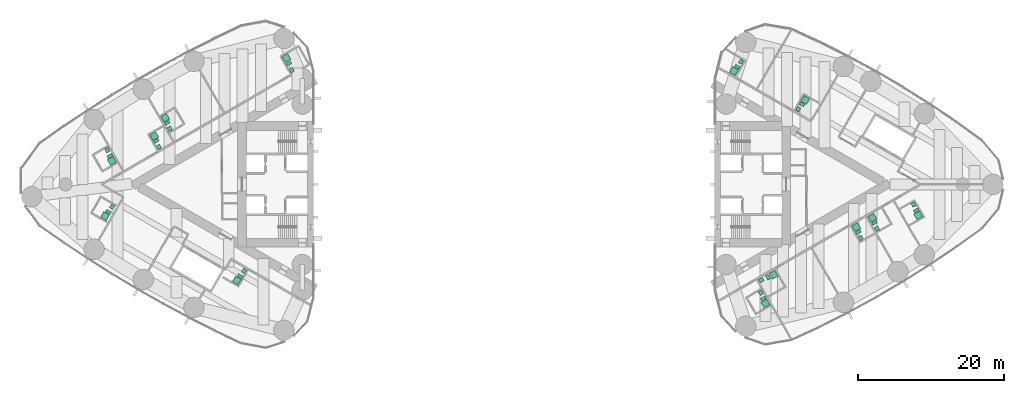
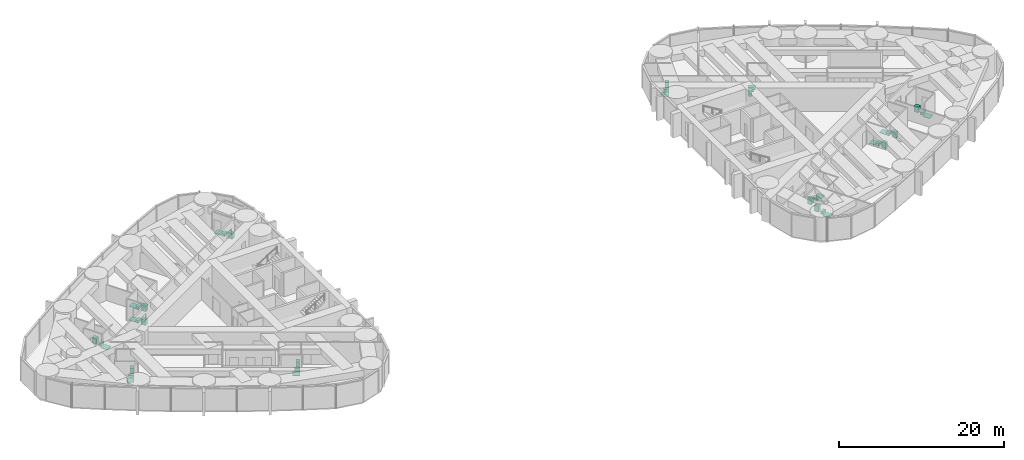
# One storey, part 19 of 19: 17 sanitary terminals.
"""IFC4 building model written with IfcOpenShell, lengths in metres."""

from ifc_helpers import new_model, si_unit, direction, frame, origin, origin_2d, place, context, subcontext, project, spatial, rectangle, extrude, material, type_object, element, save


model = new_model("IFC4")

# Units and contexts
model_context = context("Model", 3, precision=1e-05, world=origin(), true_north=direction((0.0, 1.0)))
body_context = subcontext(model_context, "Body", "Model", "MODEL_VIEW")
ifc_project = project(units=[si_unit("LENGTHUNIT", "METRE"), si_unit("AREAUNIT", "SQUARE_METRE"), si_unit("VOLUMEUNIT", "CUBIC_METRE"), si_unit("PLANEANGLEUNIT", "RADIAN"), si_unit("MASSUNIT", "GRAM", prefix="KILO")], contexts=[model_context])

# Site, building, storey
site_placement = place(None, origin())
site = spatial("IfcSite", under=ifc_project, at=site_placement, CompositionType="ELEMENT")
building_placement = place(site_placement, origin())
building = spatial("IfcBuilding", under=site, at=building_placement, Name="Lancet Gate Hotel", CompositionType="ELEMENT")
storey_placement = place(building_placement, frame((0.0, 0.0, 173.800048828125)))
storey = spatial("IfcBuildingStorey", under=building, at=storey_placement, Name="L46", CompositionType="ELEMENT", Elevation=173.800048828125)

# Sanitary terminals
ifc_material_1 = material(Name="Vitreous china sanitary ware")
sanitary_terminal_type_1 = type_object("IfcSanitaryTerminalType", Name="En-suite sanitary set (shower, WC, basin)", PredefinedType="USERDEFINED", material=ifc_material_1)
sanitary_terminal_1_placement = place(storey_placement, frame((-47.835205078125, 9.1181640625, 0.0), z_axis=(0.0, 0.0, 1.0), x_axis=(1.0, 0.0, 0.0)))
element("IfcSanitaryTerminal", 1, at=sanitary_terminal_1_placement, inside=storey, type_object=sanitary_terminal_type_1, Name="En-suite sanitary set (shower, WC, basin) 4602", ObjectType="EN-SUITE SANITARY SET", PredefinedType="USERDEFINED", context=body_context, shape_type="SweptSolid", body=[
    extrude(rectangle(XDim=0.89990234375, YDim=0.89990234375, at=origin_2d()), frame((0.0, 0.0, 0.0), z_axis=(0.0, 0.0, 1.0), x_axis=(-0.5, 0.866025403784, 0.0)), (0.0, 0.0, 1.0), 0.050048828125),
    extrude(rectangle(XDim=0.39990234375, YDim=0.699951171875, at=origin_2d()), frame((0.2783203125, -0.682373046875, 0.0), z_axis=(0.0, 0.0, 1.0), x_axis=(-0.5, 0.866025403784, 0.0)), (0.0, 0.0, 1.0), 0.39990234375),
    extrude(rectangle(XDim=0.60009765625, YDim=0.5, at=origin_2d()), frame((0.6318359375, -1.494384765625, 0.0), z_axis=(0.0, 0.0, 1.0), x_axis=(-0.5, 0.866025403784, 0.0)), (0.0, 0.0, 1.0), 0.85009765625),
])
sanitary_terminal_2_placement = place(storey_placement, frame((-49.343505859375, 6.630615234375, 0.0), z_axis=(0.0, 0.0, 1.0), x_axis=(1.0, 0.0, 0.0)))
element("IfcSanitaryTerminal", 2, at=sanitary_terminal_2_placement, inside=storey, type_object=sanitary_terminal_type_1, Name="En-suite sanitary set (shower, WC, basin) 4603", ObjectType="EN-SUITE SANITARY SET", PredefinedType="USERDEFINED", context=body_context, shape_type="SweptSolid", body=[
    extrude(rectangle(XDim=0.89990234375, YDim=0.89990234375, at=origin_2d()), frame((0.0, 0.0, 0.0), z_axis=(0.0, 0.0, 1.0), x_axis=(-0.5, 0.866025403784, 0.0)), (0.0, 0.0, 1.0), 0.050048828125),
    extrude(rectangle(XDim=0.39990234375, YDim=0.699951171875, at=origin_2d()), frame((0.2783203125, -0.68212890625, 0.0), z_axis=(0.0, 0.0, 1.0), x_axis=(-0.5, 0.866025403784, 0.0)), (0.0, 0.0, 1.0), 0.39990234375),
    extrude(rectangle(XDim=0.60009765625, YDim=0.5, at=origin_2d()), frame((0.631591796875, -1.494140625, 0.0), z_axis=(0.0, 0.0, 1.0), x_axis=(-0.5, 0.866025403784, 0.0)), (0.0, 0.0, 1.0), 0.85009765625),
])
sanitary_terminal_3_placement = place(storey_placement, frame((-55.1455078125, 3.211669921875, 0.0), z_axis=(0.0, 0.0, 1.0), x_axis=(1.0, 0.0, 0.0)))
element("IfcSanitaryTerminal", 3, at=sanitary_terminal_3_placement, inside=storey, type_object=sanitary_terminal_type_1, Name="En-suite sanitary set (shower, WC, basin) 4604", ObjectType="EN-SUITE SANITARY SET", PredefinedType="USERDEFINED", context=body_context, shape_type="SweptSolid", body=[
    extrude(rectangle(XDim=0.89990234375, YDim=0.89990234375, at=origin_2d()), frame((0.0, 0.0, 0.0), z_axis=(0.0, 0.0, 1.0), x_axis=(0.5, -0.866025403784, 0.0)), (0.0, 0.0, 1.0), 0.050048828125),
    extrude(rectangle(XDim=0.39990234375, YDim=0.699951171875, at=origin_2d()), frame((-0.278564453125, 0.68212890625, 0.0), z_axis=(0.0, 0.0, 1.0), x_axis=(0.5, -0.866025403784, 0.0)), (0.0, 0.0, 1.0), 0.39990234375),
    extrude(rectangle(XDim=0.60009765625, YDim=0.5, at=origin_2d()), frame((-0.6318359375, 1.494140625, 0.0), z_axis=(0.0, 0.0, 1.0), x_axis=(0.5, -0.866025403784, 0.0)), (0.0, 0.0, 1.0), 0.85009765625),
])
sanitary_terminal_4_placement = place(storey_placement, frame((-56.092041015625, -4.35107421875, 0.0), z_axis=(0.0, 0.0, 1.0), x_axis=(1.0, 0.0, 0.0)))
element("IfcSanitaryTerminal", 4, at=sanitary_terminal_4_placement, inside=storey, type_object=sanitary_terminal_type_1, Name="En-suite sanitary set (shower, WC, basin) 4605", ObjectType="EN-SUITE SANITARY SET", PredefinedType="USERDEFINED", context=body_context, shape_type="SweptSolid", body=[
    extrude(rectangle(XDim=0.89990234375, YDim=0.89990234375, at=origin_2d()), frame((0.0, 0.0, 0.0), z_axis=(0.0, 0.0, 1.0), x_axis=(-0.5, -0.866025403784, 0.0)), (0.0, 0.0, 1.0), 0.050048828125),
    extrude(rectangle(XDim=0.39990234375, YDim=0.699951171875, at=origin_2d()), frame((0.45166015625, 0.582275390625, 0.0), z_axis=(0.0, 0.0, 1.0), x_axis=(-0.5, -0.866025403784, 0.0)), (0.0, 0.0, 1.0), 0.39990234375),
    extrude(rectangle(XDim=0.60009765625, YDim=0.5, at=origin_2d()), frame((0.97802734375, 1.29443359375, 0.0), z_axis=(0.0, 0.0, 1.0), x_axis=(-0.5, -0.866025403784, 0.0)), (0.0, 0.0, 1.0), 0.85009765625),
])
sanitary_terminal_5_placement = place(storey_placement, frame((-38.01171875, -13.173095703125, 0.0), z_axis=(0.0, 0.0, 1.0), x_axis=(1.0, 0.0, 0.0)))
element("IfcSanitaryTerminal", 5, at=sanitary_terminal_5_placement, inside=storey, type_object=sanitary_terminal_type_1, Name="En-suite sanitary set (shower, WC, basin) 4608", ObjectType="EN-SUITE SANITARY SET", PredefinedType="USERDEFINED", context=body_context, shape_type="SweptSolid", body=[
    extrude(rectangle(XDim=0.89990234375, YDim=0.89990234375, at=origin_2d()), frame((0.0, 0.0, 0.0), z_axis=(0.0, 0.0, 1.0), x_axis=(-0.5, -0.866025403784, 0.0)), (0.0, 0.0, 1.0), 0.050048828125),
    extrude(rectangle(XDim=0.39990234375, YDim=0.699951171875, at=origin_2d()), frame((0.45166015625, 0.58203125, 0.0), z_axis=(0.0, 0.0, 1.0), x_axis=(-0.5, -0.866025403784, 0.0)), (0.0, 0.0, 1.0), 0.39990234375),
    extrude(rectangle(XDim=0.60009765625, YDim=0.5, at=origin_2d()), frame((0.978271484375, 1.294189453125, 0.0), z_axis=(0.0, 0.0, 1.0), x_axis=(-0.5, -0.866025403784, 0.0)), (0.0, 0.0, 1.0), 0.85009765625),
])
sanitary_terminal_6_placement = place(storey_placement, frame((34.43994140625, -16.351806640625, 0.0), z_axis=(0.0, 0.0, 1.0), x_axis=(1.0, 0.0, 0.0)))
element("IfcSanitaryTerminal", 6, at=sanitary_terminal_6_placement, inside=storey, type_object=sanitary_terminal_type_1, Name="En-suite sanitary set (shower, WC, basin) 4651", ObjectType="EN-SUITE SANITARY SET", PredefinedType="USERDEFINED", context=body_context, shape_type="SweptSolid", body=[
    extrude(rectangle(XDim=0.89990234375, YDim=0.89990234375, at=origin_2d()), frame((0.0, 0.0, 0.0), z_axis=(0.0, 0.0, 1.0), x_axis=(0.5, -0.866025403784, 0.0)), (0.0, 0.0, 1.0), 0.050048828125),
    extrude(rectangle(XDim=0.39990234375, YDim=0.699951171875, at=origin_2d()), frame((-0.2783203125, 0.68212890625, 0.0), z_axis=(0.0, 0.0, 1.0), x_axis=(0.5, -0.866025403784, 0.0)), (0.0, 0.0, 1.0), 0.39990234375),
    extrude(rectangle(XDim=0.60009765625, YDim=0.5, at=origin_2d()), frame((-0.6318359375, 1.494140625, 0.0), z_axis=(0.0, 0.0, 1.0), x_axis=(0.5, -0.866025403784, 0.0)), (0.0, 0.0, 1.0), 0.85009765625),
])
sanitary_terminal_7_placement = place(storey_placement, frame((46.909912109375, -5.849853515625, 0.0), z_axis=(0.0, 0.0, 1.0), x_axis=(1.0, 0.0, 0.0)))
element("IfcSanitaryTerminal", 7, at=sanitary_terminal_7_placement, inside=storey, type_object=sanitary_terminal_type_1, Name="En-suite sanitary set (shower, WC, basin) 4654", ObjectType="EN-SUITE SANITARY SET", PredefinedType="USERDEFINED", context=body_context, shape_type="SweptSolid", body=[
    extrude(rectangle(XDim=0.89990234375, YDim=0.89990234375, at=origin_2d()), frame((0.0, 0.0, 0.0), z_axis=(0.0, 0.0, 1.0), x_axis=(-0.5, 0.866025403784, 0.0)), (0.0, 0.0, 1.0), 0.050048828125),
    extrude(rectangle(XDim=0.39990234375, YDim=0.699951171875, at=origin_2d()), frame((0.2783203125, -0.68212890625, 0.0), z_axis=(0.0, 0.0, 1.0), x_axis=(-0.5, 0.866025403784, 0.0)), (0.0, 0.0, 1.0), 0.39990234375),
    extrude(rectangle(XDim=0.60009765625, YDim=0.5, at=origin_2d()), frame((0.6318359375, -1.494384765625, 0.0), z_axis=(0.0, 0.0, 1.0), x_axis=(-0.5, 0.866025403784, 0.0)), (0.0, 0.0, 1.0), 0.85009765625),
])
sanitary_terminal_8_placement = place(storey_placement, frame((49.118408203125, -4.574951171875, 0.0), z_axis=(0.0, 0.0, 1.0), x_axis=(1.0, 0.0, 0.0)))
element("IfcSanitaryTerminal", 8, at=sanitary_terminal_8_placement, inside=storey, type_object=sanitary_terminal_type_1, Name="En-suite sanitary set (shower, WC, basin) 4656", ObjectType="EN-SUITE SANITARY SET", PredefinedType="USERDEFINED", context=body_context, shape_type="SweptSolid", body=[
    extrude(rectangle(XDim=0.89990234375, YDim=0.89990234375, at=origin_2d()), frame((0.0, 0.0, 0.0), z_axis=(0.0, 0.0, 1.0), x_axis=(-0.5, 0.866025403784, 0.0)), (0.0, 0.0, 1.0), 0.050048828125),
    extrude(rectangle(XDim=0.39990234375, YDim=0.699951171875, at=origin_2d()), frame((0.2783203125, -0.68212890625, 0.0), z_axis=(0.0, 0.0, 1.0), x_axis=(-0.5, 0.866025403784, 0.0)), (0.0, 0.0, 1.0), 0.39990234375),
    extrude(rectangle(XDim=0.60009765625, YDim=0.5, at=origin_2d()), frame((0.631591796875, -1.494140625, 0.0), z_axis=(0.0, 0.0, 1.0), x_axis=(-0.5, 0.866025403784, 0.0)), (0.0, 0.0, 1.0), 0.85009765625),
])
sanitary_terminal_9_placement = place(storey_placement, frame((55.39013671875, -4.25634765625, 0.0), z_axis=(0.0, 0.0, 1.0), x_axis=(1.0, 0.0, 0.0)))
element("IfcSanitaryTerminal", 9, at=sanitary_terminal_9_placement, inside=storey, type_object=sanitary_terminal_type_1, Name="En-suite sanitary set (shower, WC, basin) 4657", ObjectType="EN-SUITE SANITARY SET", PredefinedType="USERDEFINED", context=body_context, shape_type="SweptSolid", body=[
    extrude(rectangle(XDim=0.89990234375, YDim=0.89990234375, at=origin_2d()), frame((0.0, 0.0, 0.0), z_axis=(0.0, 0.0, 1.0), x_axis=(0.5, -0.866025403784, 0.0)), (0.0, 0.0, 1.0), 0.050048828125),
    extrude(rectangle(XDim=0.39990234375, YDim=0.699951171875, at=origin_2d()), frame((-0.2783203125, 0.68212890625, 0.0), z_axis=(0.0, 0.0, 1.0), x_axis=(0.5, -0.866025403784, 0.0)), (0.0, 0.0, 1.0), 0.39990234375),
    extrude(rectangle(XDim=0.60009765625, YDim=0.5, at=origin_2d()), frame((-0.6318359375, 1.494384765625, 0.0), z_axis=(0.0, 0.0, 1.0), x_axis=(0.5, -0.866025403784, 0.0)), (0.0, 0.0, 1.0), 0.85009765625),
])
sanitary_terminal_10_placement = place(storey_placement, frame((39.91796875, 11.572509765625, 0.0), z_axis=(0.0, 0.0, 1.0), x_axis=(1.0, 0.0, 0.0)))
element("IfcSanitaryTerminal", 10, at=sanitary_terminal_10_placement, inside=storey, type_object=sanitary_terminal_type_1, Name="En-suite sanitary set (shower, WC, basin) 4662", ObjectType="EN-SUITE SANITARY SET", PredefinedType="USERDEFINED", context=body_context, shape_type="SweptSolid", body=[
    extrude(rectangle(XDim=0.89990234375, YDim=0.89990234375, at=origin_2d()), frame((0.0, 0.0, 0.0), z_axis=(0.0, 0.0, 1.0), x_axis=(0.5, 0.866025403784, 0.0)), (0.0, 0.0, 1.0), 0.050048828125),
    extrude(rectangle(XDim=0.39990234375, YDim=0.699951171875, at=origin_2d()), frame((-0.45166015625, -0.582275390625, 0.0), z_axis=(0.0, 0.0, 1.0), x_axis=(0.5, 0.866025403784, 0.0)), (0.0, 0.0, 1.0), 0.39990234375),
    extrude(rectangle(XDim=0.60009765625, YDim=0.5, at=origin_2d()), frame((-0.978271484375, -1.294189453125, 0.0), z_axis=(0.0, 0.0, 1.0), x_axis=(0.5, 0.866025403784, 0.0)), (0.0, 0.0, 1.0), 0.85009765625),
])
sanitary_terminal_11_placement = place(storey_placement, frame((30.13916015625, 15.532470703125, 0.0), z_axis=(0.0, 0.0, 1.0), x_axis=(1.0, 0.0, 0.0)))
element("IfcSanitaryTerminal", 11, at=sanitary_terminal_11_placement, inside=storey, type_object=sanitary_terminal_type_1, Name="En-suite sanitary set (shower, WC, basin) 4664", ObjectType="EN-SUITE SANITARY SET", PredefinedType="USERDEFINED", context=body_context, shape_type="SweptSolid", body=[
    extrude(rectangle(XDim=0.89990234375, YDim=0.89990234375, at=origin_2d()), frame((0.0, 0.0, 0.0), z_axis=(0.0, 0.0, 1.0), x_axis=(-0.5, -0.866025403784, 0.0)), (0.0, 0.0, 1.0), 0.050048828125),
    extrude(rectangle(XDim=0.39990234375, YDim=0.699951171875, at=origin_2d()), frame((0.45166015625, 0.582275390625, 0.0), z_axis=(0.0, 0.0, 1.0), x_axis=(-0.5, -0.866025403784, 0.0)), (0.0, 0.0, 1.0), 0.39990234375),
    extrude(rectangle(XDim=0.60009765625, YDim=0.5, at=origin_2d()), frame((0.97802734375, 1.29443359375, 0.0), z_axis=(0.0, 0.0, 1.0), x_axis=(-0.5, -0.866025403784, 0.0)), (0.0, 0.0, 1.0), 0.85009765625),
])
ifc_material_2 = material(Name="Stone resin shower tray", Category="masonry")
sanitary_terminal_type_2 = type_object("IfcSanitaryTerminalType", Name="Shower tray 900", PredefinedType="SHOWER", material=ifc_material_2)
for number, where, z_axis, x_axis, name in (
    (12, (-31.216064453125, 17.327392578125, 0.0), (0.0, 0.0, 1.0), (-0.5, 0.866025403784, 0.0), "Shower tray 900 4601"),
    (13, (35.564697265625, -12.39990234375, 0.0), (0.0, 0.0, 1.0), (0.866025403784, 0.5, 0.0), "Shower tray 900 4652"),
):
    element("IfcSanitaryTerminal", number, at=place(storey_placement, frame(where, z_axis=z_axis, x_axis=x_axis)), inside=storey, type_object=sanitary_terminal_type_2, Name=name, PredefinedType="SHOWER", context=body_context, shape_type="SweptSolid", body=[
        extrude(rectangle(XDim=0.89990234375, YDim=0.89990234375, at=origin_2d()), origin(), (0.0, 0.0, 1.0), 0.050048828125),
    ])
ifc_material_3 = material(Name="Vitreous china sanitary ware")
sanitary_terminal_type_3 = type_object("IfcSanitaryTerminalType", Name="Vanity basin 600", PredefinedType="WASHHANDBASIN", material=ifc_material_3)
for number, where, z_axis, x_axis, name in (
    (14, (-30.484375, 15.659912109375, 0.0), (0.0, 0.0, 1.0), (-0.5, 0.866025403784, 0.0), "Vanity basin 600 4601"),
    (15, (33.897216796875, -13.1318359375, 0.0), (0.0, 0.0, 1.0), (0.866025403784, 0.5, 0.0), "Vanity basin 600 4652"),
):
    element("IfcSanitaryTerminal", number, at=place(storey_placement, frame(where, z_axis=z_axis, x_axis=x_axis)), inside=storey, type_object=sanitary_terminal_type_3, Name=name, PredefinedType="WASHHANDBASIN", context=body_context, shape_type="SweptSolid", body=[
        extrude(rectangle(XDim=0.60009765625, YDim=0.5, at=origin_2d()), origin(), (0.0, 0.0, 1.0), 0.85009765625),
    ])
ifc_material_4 = material(Name="Vitreous china sanitary ware")
sanitary_terminal_type_4 = type_object("IfcSanitaryTerminalType", Name="WC pan wall hung", PredefinedType="TOILETPAN", material=ifc_material_4)
for number, where, z_axis, x_axis, name in (
    (16, (-30.8876953125, 16.55859375, 0.0), (0.0, 0.0, 1.0), (-0.5, 0.866025403784, 0.0), "WC pan wall hung 4601"),
    (17, (34.7958984375, -12.728515625, 0.0), (0.0, 0.0, 1.0), (0.866025403784, 0.5, 0.0), "WC pan wall hung 4652"),
):
    element("IfcSanitaryTerminal", number, at=place(storey_placement, frame(where, z_axis=z_axis, x_axis=x_axis)), inside=storey, type_object=sanitary_terminal_type_4, Name=name, PredefinedType="TOILETPAN", context=body_context, shape_type="SweptSolid", body=[
        extrude(rectangle(XDim=0.39990234375, YDim=0.699951171875, at=origin_2d()), origin(), (0.0, 0.0, 1.0), 0.39990234375),
    ])

save(model, "model.ifc")
